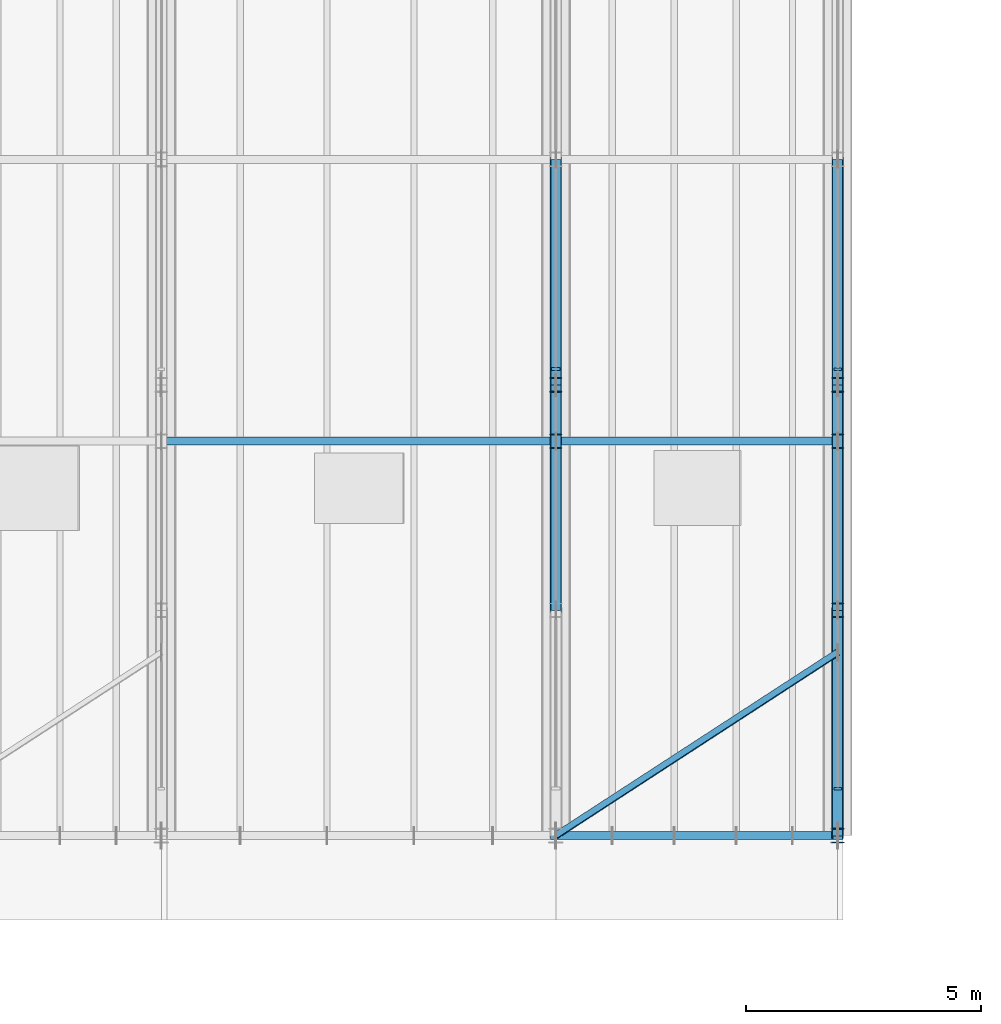
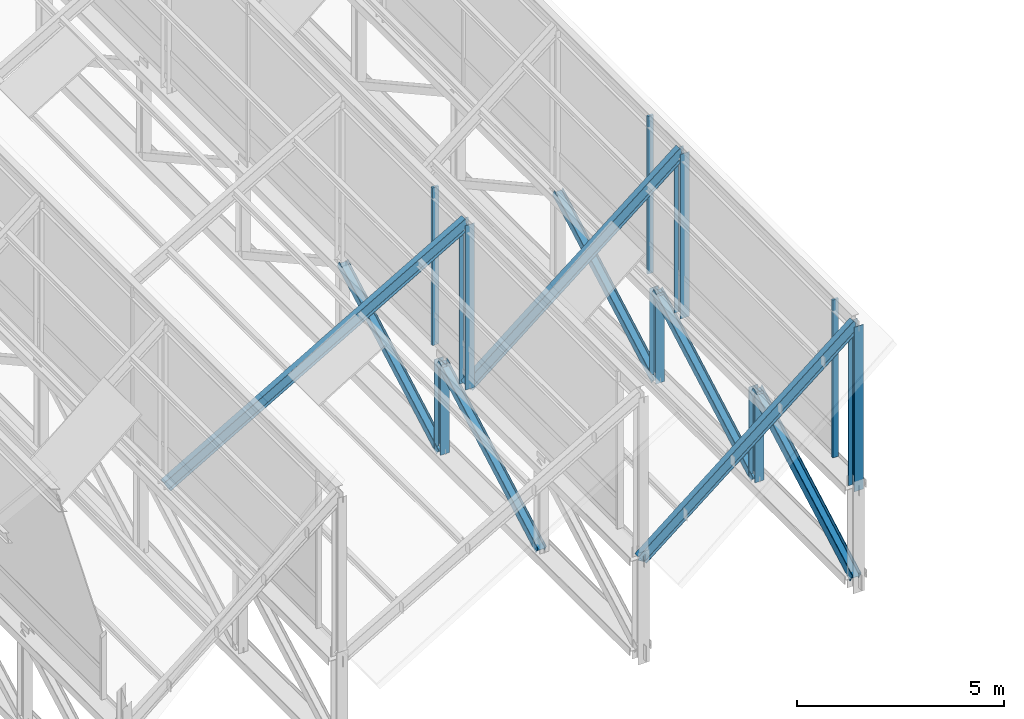
# One storey, part 18 of 101: 15 members, 3 beams, 2 elements without a shape of their own.
"""IFC4 building model written with IfcOpenShell, lengths in metres."""

from ifc_helpers import new_model, si_unit, direction, frame, origin, origin_2d, place, context, subcontext, project, spatial, rectangle, i_section, l_section, extrude, material, material_profile, profile_set, type_object, element, aggregate, save


model = new_model("IFC4")

# Units and contexts
model_context = context("Model", 3, precision=1e-05, world=origin(), true_north=direction((0.0, 1.0)))
body_context = subcontext(model_context, "Body", "Model", "MODEL_VIEW")
ifc_project = project(units=[si_unit("LENGTHUNIT", "METRE"), si_unit("AREAUNIT", "SQUARE_METRE"), si_unit("VOLUMEUNIT", "CUBIC_METRE"), si_unit("PLANEANGLEUNIT", "RADIAN"), si_unit("MASSUNIT", "GRAM", prefix="KILO"), si_unit("THERMODYNAMICTEMPERATUREUNIT", "KELVIN")], contexts=[model_context])

# Site, building, storey
site_placement = place(None, origin())
site = spatial("IfcSite", under=ifc_project, at=site_placement, CompositionType="ELEMENT")
building_placement = place(site_placement, origin())
building = spatial("IfcBuilding", under=site, at=building_placement, Name="Thalorik Housing Commons", CompositionType="ELEMENT")
storey_placement = place(building_placement, frame((0.0, 0.0, 8.10009765625)))
storey = spatial("IfcBuildingStorey", under=building, at=storey_placement, Name="L02", CompositionType="ELEMENT", Elevation=8.10009765625)

# Curtain wall, members
ifc_material_1 = material(Name="Anodised aluminium and solar-control low-E glass", Category="aluminium")
curtain_wall_type = type_object("IfcCurtainWallType", Name="ARC-CW-CLER", PredefinedType="USERDEFINED", material=ifc_material_1)
curtain_wall_1_placement = place(storey_placement, origin())
curtain_wall_1 = element("IfcCurtainWall", 1, at=curtain_wall_1_placement, inside=storey, type_object=curtain_wall_type, Name="L02 Curtain Wall CW-SAW-CLER-07", ObjectType="CURTAIN WALL", PredefinedType="USERDEFINED")
ifc_material_2 = material(Name="Anodised aluminium 6063-T6", Category="aluminium")
ifc_material_profile_1 = material_profile(ifc_material_2, rectangle(XDim=0.06005859375, YDim=0.159912109375, at=origin_2d()), Name="ALU MUL 60x160", Category="aluminium")
ifc_profile_set_1 = profile_set([ifc_material_profile_1], Name="Anodised aluminium 6063-T6")
member_type_1 = type_object("IfcMemberType", Name="ARC-CW-MUL-60x160", PredefinedType="MULLION", material=ifc_profile_set_1)
member_1_placement = place(storey_placement, frame((115.199951171875, 58.60009765625, 3.2998046875), z_axis=(0.0, 0.0, 1.0), x_axis=(0.0, 1.0, 0.0)))
member_1 = element("IfcMember", 2, at=member_1_placement, type_object=member_type_1, Name="CW-SAW-CLER-07 Mullion 1", PredefinedType="MULLION", context=body_context, shape_type="SweptSolid", body=[
    extrude(rectangle(XDim=0.06005859375, YDim=0.159912109375, at=origin_2d()), origin(), (0.0, 0.0, 1.0), 4.650146484375),
])
member_2_placement = place(storey_placement, frame((115.199951171875, 67.533203125, 3.2998046875), z_axis=(0.0, 0.0, 1.0), x_axis=(0.0, 1.0, 0.0)))
member_2 = element("IfcMember", 3, at=member_2_placement, type_object=member_type_1, Name="CW-SAW-CLER-07 Mullion 2", PredefinedType="MULLION", context=body_context, shape_type="SweptSolid", body=[
    extrude(rectangle(XDim=0.06005859375, YDim=0.159912109375, at=origin_2d()), origin(), (0.0, 0.0, 1.0), 4.650146484375),
])
aggregate(curtain_wall_1, [member_1, member_2])

# Curtain wall, member
curtain_wall_2_placement = place(storey_placement, origin())
curtain_wall_2 = element("IfcCurtainWall", 4, at=curtain_wall_2_placement, inside=storey, type_object=curtain_wall_type, Name="L02 Curtain Wall CW-SAW-CLER-06", ObjectType="CURTAIN WALL", PredefinedType="USERDEFINED")
ifc_material_profile_2 = material_profile(ifc_material_2, rectangle(XDim=0.06494140625, YDim=0.179931640625, at=origin_2d()), Name="ALU MUL 65x180", Category="aluminium")
ifc_profile_set_2 = profile_set([ifc_material_profile_2], Name="Anodised aluminium 6063-T6")
member_type_2 = type_object("IfcMemberType", Name="ARC-CW-MUL-65x180", PredefinedType="MULLION", material=ifc_profile_set_2)
member_3_placement = place(storey_placement, frame((109.199951171875, 67.533203125, 3.2998046875), z_axis=(0.0, 0.0, 1.0), x_axis=(0.0, 1.0, 0.0)))
member_3 = element("IfcMember", 5, at=member_3_placement, type_object=member_type_2, Name="CW-SAW-CLER-06 Mullion 2", PredefinedType="MULLION", context=body_context, shape_type="SweptSolid", body=[
    extrude(rectangle(XDim=0.06494140625, YDim=0.179931640625, at=origin_2d()), origin(), (0.0, 0.0, 1.0), 4.650146484375),
])
aggregate(curtain_wall_2, [member_3])

# Beams
ifc_material_3 = material(Name="Steel S355", Category="steel")
ifc_material_profile_3 = material_profile(ifc_material_3, i_section(OverallWidth=0.1708984375, OverallDepth=0.35498046875, WebThickness=0.007080078125, FlangeThickness=0.01171875, FilletRadius=0.010009765625, at=origin_2d()), Name="W360x51", Category="steel")
ifc_profile_set_3 = profile_set([ifc_material_profile_3], Name="Steel S355")
beam_type = type_object("IfcBeamType", Name="STR-BM-W360x51", PredefinedType="BEAM", material=ifc_profile_set_3)
beam_placement = place(storey_placement, frame((100.800048828125, 66.0, 3.0), z_axis=(0.866017919902, 0.0, 0.500012962241), x_axis=(0.0, 1.0, 0.0)))
element("IfcBeam", 6, at=beam_placement, inside=storey, type_object=beam_type, Name="L02 Sawtooth Bay 6 Rafter 2", PredefinedType="BEAM", context=body_context, shape_type="SweptSolid", body=[
    extrude(i_section(OverallWidth=0.1708984375, OverallDepth=0.35498046875, WebThickness=0.007080078125, FlangeThickness=0.01171875, FilletRadius=0.010009765625, at=origin_2d()), origin(), (0.0, 0.0, 1.0), 9.699462890625),
])
for number, where, z_axis, x_axis, name in (
    (7, (109.199951171875, 57.60009765625, 3.0), (0.777706721002, 0.0, 0.628627279163), (0.0, 1.0, 0.0), "L02 Sawtooth Bay 7 Rafter 1"),
    (8, (109.199951171875, 66.0, 3.0), (0.777706721002, 0.0, 0.628627279163), (0.0, 1.0, 0.0), "L02 Sawtooth Bay 7 Rafter 2"),
):
    element("IfcBeam", number, at=place(storey_placement, frame(where, z_axis=z_axis, x_axis=x_axis)), inside=storey, type_object=beam_type, Name=name, PredefinedType="BEAM", context=body_context, shape_type="SweptSolid", body=[
        extrude(i_section(OverallWidth=0.1708984375, OverallDepth=0.35498046875, WebThickness=0.007080078125, FlangeThickness=0.01171875, FilletRadius=0.010009765625, at=origin_2d()), origin(), (0.0, 0.0, 1.0), 7.715087890625),
    ])

# Members
ifc_material_profile_4 = material_profile(ifc_material_3, i_section(OverallWidth=0.201904296875, OverallDepth=0.2470703125, WebThickness=0.00732421875, FlangeThickness=0.010986328125, FilletRadius=0.010009765625, at=origin_2d()), Name="W250x49", Category="steel")
ifc_profile_set_4 = profile_set([ifc_material_profile_4], Name="Steel S355")
member_type_3 = type_object("IfcMemberType", Name="STR-MEM-DIAG-250", PredefinedType="BRACE", material=ifc_profile_set_4)
for number, where, z_axis, x_axis, name in (
    (9, (109.199951171875, 62.39990234375, 0.349853515625), (0.0, 0.875435421067, 0.48333510481), (0.0, -0.48333510481, 0.875435421067), "L02 Sawtooth Truss 7 Web Diagonal 2"),
    (10, (109.199951171875, 67.199951171875, 0.349853515625), (0.0, 0.875435421067, 0.48333510481), (0.0, -0.48333510481, 0.875435421067), "L02 Sawtooth Truss 7 Web Diagonal 3"),
    (11, (115.199951171875, 62.39990234375, 0.349853515625), (0.0, 0.875435421067, 0.48333510481), (0.0, -0.48333510481, 0.875435421067), "L02 Sawtooth Truss 8 Web Diagonal 2"),
    (12, (115.199951171875, 67.199951171875, 0.349853515625), (0.0, 0.875435421067, 0.48333510481), (0.0, -0.48333510481, 0.875435421067), "L02 Sawtooth Truss 8 Web Diagonal 3"),
):
    element("IfcMember", number, at=place(storey_placement, frame(where, z_axis=z_axis, x_axis=x_axis)), inside=storey, type_object=member_type_3, Name=name, PredefinedType="BRACE", context=body_context, shape_type="SweptSolid", body=[
        extrude(i_section(OverallWidth=0.201904296875, OverallDepth=0.2470703125, WebThickness=0.00732421875, FlangeThickness=0.010986328125, FilletRadius=0.010009765625, at=origin_2d()), origin(), (0.0, 0.0, 1.0), 5.483154296875),
    ])
ifc_material_profile_5 = material_profile(ifc_material_3, i_section(OverallWidth=0.25390625, OverallDepth=0.2529296875, WebThickness=0.008544921875, FlangeThickness=0.01416015625, FilletRadius=0.010009765625, at=origin_2d()), Name="W250x73", Category="steel")
ifc_profile_set_5 = profile_set([ifc_material_profile_5], Name="Steel S355")
member_type_4 = type_object("IfcMemberType", Name="STR-MEM-DIAG-250H", PredefinedType="BRACE", material=ifc_profile_set_5)
member_4_placement = place(storey_placement, frame((115.199951171875, 57.60009765625, 0.349853515625), z_axis=(0.0, 0.875425018498, 0.48335394587), x_axis=(0.0, -0.48335394587, 0.875425018498)))
element("IfcMember", 13, at=member_4_placement, inside=storey, type_object=member_type_4, Name="L02 Sawtooth Truss 8 Web Diagonal 1", PredefinedType="BRACE", context=body_context, shape_type="SweptSolid", body=[
    extrude(i_section(OverallWidth=0.25390625, OverallDepth=0.2529296875, WebThickness=0.008544921875, FlangeThickness=0.01416015625, FilletRadius=0.010009765625, at=origin_2d()), origin(), (0.0, 0.0, 1.0), 5.48291015625),
])
ifc_material_profile_6 = material_profile(ifc_material_3, i_section(OverallWidth=0.25390625, OverallDepth=0.305908203125, WebThickness=0.0087890625, FlangeThickness=0.0146484375, FilletRadius=0.010009765625, at=origin_2d()), Name="W310x79", Category="steel")
ifc_profile_set_6 = profile_set([ifc_material_profile_6], Name="Steel S355")
member_type_5 = type_object("IfcMemberType", Name="STR-MEM-POST-310", PredefinedType="POST", material=ifc_profile_set_6)
for number, where, z_axis, x_axis, name in (
    (14, (109.199951171875, 67.199951171875, 0.349853515625), (0.0, 0.0, 1.0), (1.0, 0.0, 0.0), "L02 Sawtooth Truss 7 Vertical 2"),
    (15, (115.199951171875, 62.39990234375, 0.349853515625), (0.0, 0.0, 1.0), (1.0, 0.0, 0.0), "L02 Sawtooth Truss 8 Vertical 1"),
    (16, (115.199951171875, 67.199951171875, 0.349853515625), (0.0, 0.0, 1.0), (1.0, 0.0, 0.0), "L02 Sawtooth Truss 8 Vertical 2"),
):
    element("IfcMember", number, at=place(storey_placement, frame(where, z_axis=z_axis, x_axis=x_axis)), inside=storey, type_object=member_type_5, Name=name, PredefinedType="POST", context=body_context, shape_type="SweptSolid", body=[
        extrude(i_section(OverallWidth=0.25390625, OverallDepth=0.305908203125, WebThickness=0.0087890625, FlangeThickness=0.0146484375, FilletRadius=0.010009765625, at=origin_2d()), origin(), (0.0, 0.0, 1.0), 2.650146484375),
    ])
for number, where, z_axis, x_axis, name in (
    (17, (109.199951171875, 66.0, 3.0), (0.0, 0.0, 1.0), (1.0, 0.0, 0.0), "L02 Sawtooth Bay 6 Clerestory Post 2"),
    (18, (115.199951171875, 57.60009765625, 3.0), (0.0, 0.0, 1.0), (1.0, 0.0, 0.0), "L02 Sawtooth Bay 7 Clerestory Post 1"),
    (19, (115.199951171875, 66.0, 3.0), (0.0, 0.0, 1.0), (1.0, 0.0, 0.0), "L02 Sawtooth Bay 7 Clerestory Post 2"),
):
    element("IfcMember", number, at=place(storey_placement, frame(where, z_axis=z_axis, x_axis=x_axis)), inside=storey, type_object=member_type_5, Name=name, PredefinedType="POST", context=body_context, shape_type="SweptSolid", body=[
        extrude(i_section(OverallWidth=0.25390625, OverallDepth=0.305908203125, WebThickness=0.0087890625, FlangeThickness=0.0146484375, FilletRadius=0.010009765625, at=origin_2d()), origin(), (0.0, 0.0, 1.0), 4.849853515625),
    ])
ifc_material_profile_7 = material_profile(ifc_material_3, l_section(Depth=0.14990234375, Width=0.14990234375, Thickness=0.013916015625, FilletRadius=0.010009765625, at=origin_2d()), Name="L150x150x14", Category="steel")
ifc_profile_set_7 = profile_set([ifc_material_profile_7], Name="Steel S355")
member_type_6 = type_object("IfcMemberType", Name="STR-MEM-TIE-L150", PredefinedType="BRACE", material=ifc_profile_set_7)
member_5_placement = place(storey_placement, frame((109.199951171875, 57.60009765625, 3.0), z_axis=(0.838449851971, 0.544978757136, 0.0), x_axis=(-0.544978757136, 0.838449851971, 0.0)))
element("IfcMember", 20, at=member_5_placement, inside=storey, type_object=member_type_6, Name="L02 Sawtooth Bay 7 Wind Brace S", PredefinedType="BRACE", context=body_context, shape_type="SweptSolid", body=[
    extrude(l_section(Depth=0.14990234375, Width=0.14990234375, Thickness=0.013916015625, FilletRadius=0.010009765625, at=origin_2d()), origin(), (0.0, 0.0, 1.0), 7.156005859375),
])

save(model, "model.ifc")
